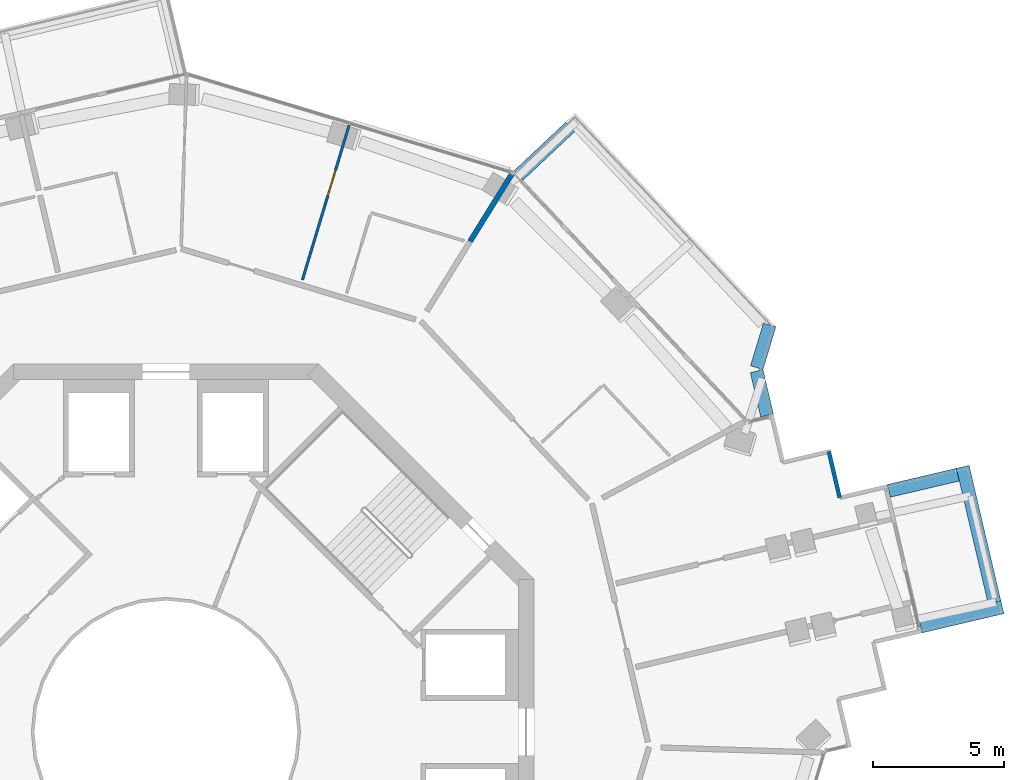
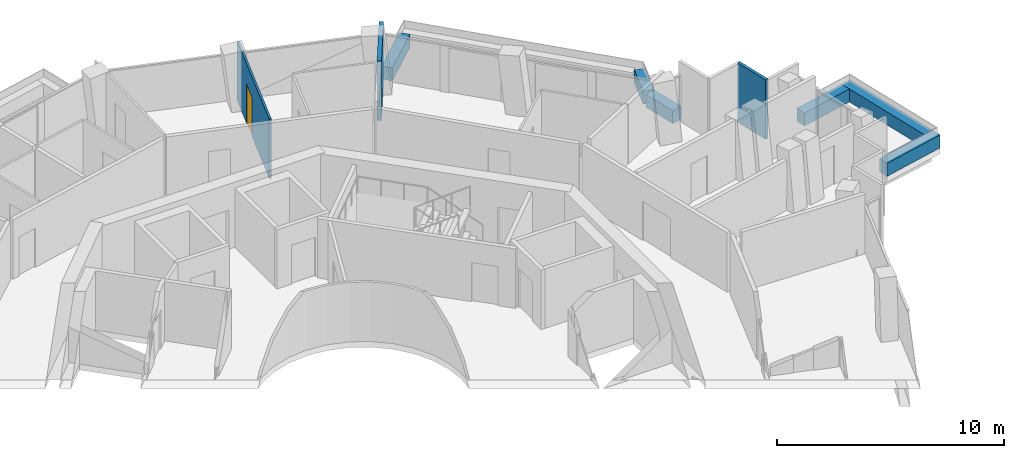
# One storey, part 21 of 24: 9 walls, 1 door, 1 opening.
"""IFC4 building model written with IfcOpenShell, lengths in metres."""

from ifc_helpers import new_model, si_unit, direction, frame, frame_2d, origin, place, context, subcontext, project, spatial, rectangle, extrude, material, layer, layer_set, type_object, element, fill, save


model = new_model("IFC4")

# Units and contexts
model_context = context("Model", 3, precision=1e-05, world=origin(), true_north=direction((0.0, 1.0)))
body_context = subcontext(model_context, "Body", "Model", "MODEL_VIEW")
ifc_project = project(units=[si_unit("LENGTHUNIT", "METRE"), si_unit("AREAUNIT", "SQUARE_METRE"), si_unit("VOLUMEUNIT", "CUBIC_METRE"), si_unit("PLANEANGLEUNIT", "RADIAN"), si_unit("MASSUNIT", "GRAM", prefix="KILO")], contexts=[model_context])

# Site, building, storey
site_placement = place(None, origin())
site = spatial("IfcSite", under=ifc_project, at=site_placement, CompositionType="ELEMENT")
building_placement = place(site_placement, origin())
building = spatial("IfcBuilding", under=site, at=building_placement, Name="Verdalira Terraces Hotel", CompositionType="ELEMENT")
storey_placement = place(building_placement, frame((0.0, 0.0, 209.0)))
storey = spatial("IfcBuildingStorey", under=building, at=storey_placement, Name="L51", CompositionType="ELEMENT", Elevation=209.0)

# Walls
ifc_material_1 = material(Name="Concrete C40", Category="concrete")
ifc_layer_1 = layer(ifc_material_1, 0.5)
ifc_layer_set_1 = layer_set([ifc_layer_1], Name="Balcony planter trough with tree")
wall_type_1 = type_object("IfcWallType", Name="Balcony planter trough with tree", PredefinedType="SOLIDWALL", material=ifc_layer_set_1)
wall_1_placement = place(storey_placement, frame((28.701904, 4.01001, 0.0), z_axis=(0.0, 0.0, 1.0), x_axis=(0.973581063, 0.228341659, 0.0)))
element("IfcWall", 1, at=wall_1_placement, inside=storey, type_object=wall_type_1, Name="Balcony planter", PredefinedType="SOLIDWALL", context=body_context, shape_type="SweptSolid", body=[
    extrude(rectangle(XDim=3.198975, YDim=0.5, at=frame_2d((1.599609, 0.0))), origin(), (0.0, 0.0, 1.0), 0.699951),
])
wall_2_placement = place(storey_placement, frame((31.515869, 4.926758, 0.0), z_axis=(0.0, 0.0, 1.0), x_axis=(-0.228333229, 0.97358304, 0.0)))
element("IfcWall", 2, at=wall_2_placement, inside=storey, type_object=wall_type_1, Name="Balcony planter", PredefinedType="SOLIDWALL", context=body_context, shape_type="SweptSolid", body=[
    extrude(rectangle(XDim=5.300049, YDim=0.5, at=frame_2d((2.649902, 0.0))), origin(), (0.0, 0.0, 1.0), 0.699951),
])
wall_3_placement = place(storey_placement, frame((30.119385, 9.786377, 0.0), z_axis=(0.0, 0.0, 1.0), x_axis=(-0.973567617, -0.228398981, 0.0)))
element("IfcWall", 3, at=wall_3_placement, inside=storey, type_object=wall_type_1, Name="Balcony planter", PredefinedType="SOLIDWALL", context=body_context, shape_type="SweptSolid", body=[
    extrude(rectangle(XDim=2.698975, YDim=0.5, at=frame_2d((1.349609, 0.0))), origin(), (0.0, 0.0, 1.0), 0.699951),
])
wall_4_placement = place(storey_placement, frame((22.863037, 12.039795, 0.0), z_axis=(0.0, 0.0, 1.0), x_axis=(-0.228308287, 0.97358889, 0.0)))
element("IfcWall", 4, at=wall_4_placement, inside=storey, type_object=wall_type_1, Name="Balcony planter", PredefinedType="SOLIDWALL", context=body_context, shape_type="SweptSolid", body=[
    extrude(rectangle(XDim=1.731201, YDim=0.5, at=frame_2d((0.865723, 0.0))), origin(), (0.0, 0.0, 1.0), 0.699951),
])
wall_5_placement = place(storey_placement, frame((22.471924, 13.854492, 0.0), z_axis=(0.0, 0.0, 1.0), x_axis=(0.288919913, 0.95735327, 0.0)))
element("IfcWall", 5, at=wall_5_placement, inside=storey, type_object=wall_type_1, Name="Balcony planter", PredefinedType="SOLIDWALL", context=body_context, shape_type="SweptSolid", body=[
    extrude(rectangle(XDim=1.695068, YDim=0.5, at=frame_2d((0.847656, 0.0))), origin(), (0.0, 0.0, 1.0), 0.699951),
])
wall_6_placement = place(storey_placement, frame((15.373291, 23.010254, 0.0), z_axis=(0.0, 0.0, 1.0), x_axis=(-0.728964327, -0.684551685, 0.0)))
element("IfcWall", 6, at=wall_6_placement, inside=storey, type_object=wall_type_1, Name="Balcony planter", PredefinedType="SOLIDWALL", context=body_context, shape_type="SweptSolid", body=[
    extrude(rectangle(XDim=2.698975, YDim=0.5, at=frame_2d((1.349609, 0.0))), origin(), (0.0, 0.0, 1.0), 0.699951),
])

# Wall, opening, door
ifc_material_2 = material(Name="Moisture-resistant gypsum board partition")
ifc_layer_2 = layer(ifc_material_2, 0.10009765625)
ifc_layer_set_2 = layer_set([ifc_layer_2], Name="Bathroom partition 100 mm")
wall_type_2 = type_object("IfcWallType", Name="Bathroom partition 100 mm", PredefinedType="PARTITIONING", material=ifc_layer_set_2)
wall_7_placement = place(storey_placement, frame((6.968018, 23.079346, 0.0), z_axis=(0.0, 0.0, 1.0), x_axis=(-0.289040974, -0.957316727, 0.0)))
wall_7 = element("IfcWall", 7, at=wall_7_placement, inside=storey, type_object=wall_type_2, Name="Bathroom partition", PredefinedType="PARTITIONING", context=body_context, shape_type="SweptSolid", body=[
    extrude(rectangle(XDim=6.149902, YDim=0.100098, at=frame_2d((3.074951, 0.0))), origin(), (0.0, 0.0, 1.0), 3.189941),
])
opening_placement = place(wall_7_placement, frame((1.800049, 0.0, 0.0)))
opening = element("IfcOpeningElement", 8, at=opening_placement, cuts=wall_7, Name="Opening L51-129", PredefinedType="OPENING", context=body_context, shape_type="SweptSolid", body=[
    extrude(rectangle(XDim=1.0, YDim=2.100098, at=frame_2d((0.5, 1.050049))), frame((0.0, 0.060059, 0.0), z_axis=(0.0, -1.0, 0.0), x_axis=(1.0, 0.0, 0.0)), (0.0, 0.0, 1.0), 0.120117),
])
ifc_material_3 = material(Name="Timber door", Category="wood")
door_type = type_object("IfcDoorType", Name="Suite internal door 1000 x 2100", OperationType="NOTDEFINED", PredefinedType="DOOR", material=ifc_material_3)
door_placement = place(opening_placement, origin())
door = element("IfcDoor", 9, at=door_placement, inside=storey, type_object=door_type, Name="Suite internal door 5112", OperationType="SINGLE_SWING_LEFT", OverallHeight=2.10009765625, OverallWidth=1.0, PredefinedType="DOOR", context=body_context, shape_type="SweptSolid", body=[
    extrude(rectangle(XDim=1.0, YDim=2.100098, at=frame_2d((0.5, 1.050049))), frame((0.0, 0.024902, 0.0), z_axis=(0.0, -1.0, 0.0), x_axis=(1.0, 0.0, 0.0)), (0.0, 0.0, 1.0), 0.050049),
])
fill(opening, door)

# Walls
ifc_material_4 = material(Name="Fire-rated gypsum board wall")
ifc_layer_3 = layer(ifc_material_4, 0.199951171875)
ifc_layer_set_3 = layer_set([ifc_layer_3], Name="Demising wall 200 mm")
wall_type_3 = type_object("IfcWallType", Name="Demising wall 200 mm", PredefinedType="SOLIDWALL", material=ifc_layer_set_3)
wall_8_placement = place(storey_placement, frame((11.568115, 18.657471, 0.0), z_axis=(0.0, 0.0, 1.0), x_axis=(0.526912729, 0.849919394, 0.0)))
element("IfcWall", 10, at=wall_8_placement, inside=storey, type_object=wall_type_3, Name="Demising wall", PredefinedType="SOLIDWALL", context=body_context, shape_type="SweptSolid", body=[
    extrude(rectangle(XDim=3.01123, YDim=0.199951, at=frame_2d((1.505615, 0.0))), origin(), (0.0, 0.0, 1.0), 3.189941),
])
ifc_material_5 = material(Name="Terracotta cladding", Category="masonry")
ifc_layer_4 = layer(ifc_material_5, 0.14990234375)
ifc_layer_set_4 = layer_set([ifc_layer_4], Name="Terracotta clad wall 150")
wall_type_4 = type_object("IfcWallType", Name="Terracotta clad wall 150", PredefinedType="SOLIDWALL", material=ifc_layer_set_4)
wall_9_placement = place(storey_placement, frame((25.625244, 8.912109, 0.0), z_axis=(0.0, 0.0, 1.0), x_axis=(-0.228275698, 0.973596531, 0.0)))
element("IfcWall", 11, at=wall_9_placement, inside=storey, type_object=wall_type_4, Name="Terracotta cladding wall", PredefinedType="SOLIDWALL", context=body_context, shape_type="SweptSolid", body=[
    extrude(rectangle(XDim=1.800049, YDim=0.149902, at=frame_2d((0.899902, 0.0))), origin(), (0.0, 0.0, 1.0), 3.189941),
])

save(model, "model.ifc")
